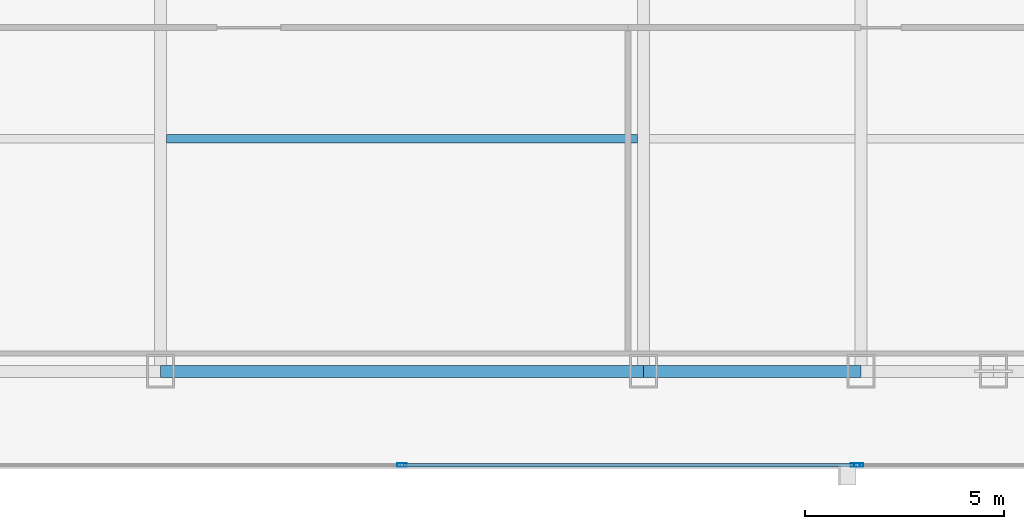
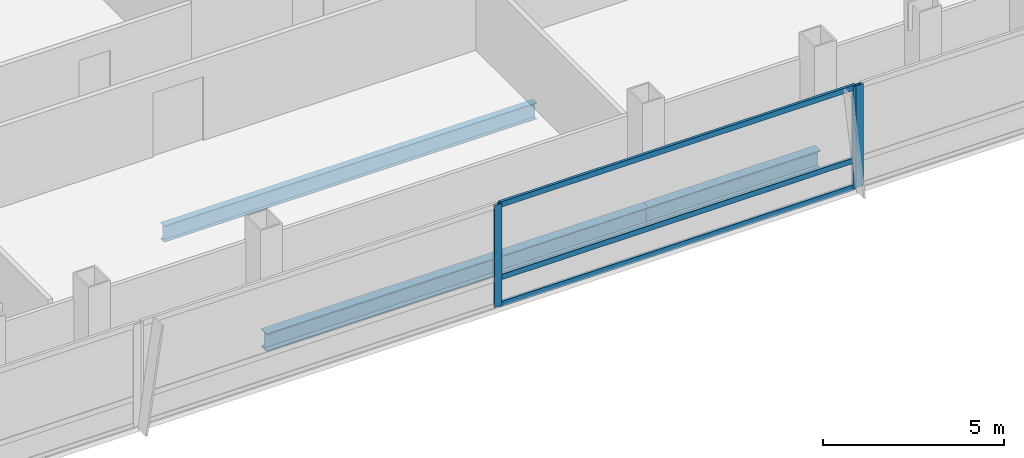
# One storey, part 13 of 33: 6 members, 3 beams, 2 elements without a shape of their own.
"""IFC4 building model written with IfcOpenShell, lengths in metres."""

from ifc_helpers import new_model, si_unit, direction, frame, origin, origin_2d, place, context, subcontext, project, spatial, hollow_rectangle, i_section, extrude, material, material_profile, profile_set, type_object, element, aggregate, save


model = new_model("IFC4")

# Units and contexts
model_context = context("Model", 3, precision=1e-05, world=origin(), true_north=direction((0.0, 1.0)))
body_context = subcontext(model_context, "Body", "Model", "MODEL_VIEW")
ifc_project = project(units=[si_unit("LENGTHUNIT", "METRE"), si_unit("AREAUNIT", "SQUARE_METRE"), si_unit("VOLUMEUNIT", "CUBIC_METRE"), si_unit("PLANEANGLEUNIT", "RADIAN"), si_unit("MASSUNIT", "GRAM", prefix="KILO")], contexts=[model_context])

# Site, building, storey
site_placement = place(None, origin())
site = spatial("IfcSite", under=ifc_project, at=site_placement, CompositionType="ELEMENT")
building_placement = place(site_placement, origin())
building = spatial("IfcBuilding", under=site, at=building_placement, Name="Khoronbel Lancet Exchange", CompositionType="ELEMENT")
storey_placement = place(building_placement, frame((0.0, 0.0, 114.60009765625)))
storey = spatial("IfcBuildingStorey", under=building, at=storey_placement, Name="L27", CompositionType="ELEMENT", Elevation=114.60009765625)

# Beams
ifc_material_1 = material(Name="Steel S355", Category="steel")
ifc_material_profile_1 = material_profile(ifc_material_1, i_section(OverallWidth=0.2099609375, OverallDepth=0.550048828125, WebThickness=0.010986328125, FlangeThickness=0.01708984375, at=origin_2d()), Name="IPE 550")
ifc_profile_set_1 = profile_set([ifc_material_profile_1], Name="Steel S355")
beam_type_1 = type_object("IfcBeamType", Name="BM-BJ2", PredefinedType="JOIST", material=ifc_profile_set_1)
beam_1_placement = place(storey_placement, frame((30.52490234375, 16.0, -0.43505859375), z_axis=(1.0, 0.0, 0.0), x_axis=(0.0, 1.0, 0.0)))
element("IfcBeam", 1, at=beam_1_placement, inside=storey, type_object=beam_type_1, Name="Level L27 secondary composite joist J03", PredefinedType="JOIST", context=body_context, shape_type="SweptSolid", body=[
    extrude(i_section(OverallWidth=0.2099609375, OverallDepth=0.550048828125, WebThickness=0.010986328125, FlangeThickness=0.01708984375, at=origin_2d()), origin(), (0.0, 0.0, 1.0), 11.85009765625),
])
ifc_material_profile_2 = material_profile(ifc_material_1, i_section(OverallWidth=0.300048828125, OverallDepth=0.60009765625, WebThickness=0.015380859375, FlangeThickness=0.030029296875, at=origin_2d()), Name="HEB 600")
ifc_profile_set_2 = profile_set([ifc_material_profile_2], Name="Steel S355")
beam_type_2 = type_object("IfcBeamType", Name="BM-BSP2", PredefinedType="SPANDREL", material=ifc_profile_set_2)
beam_2_placement = place(storey_placement, frame((30.375, 10.14990234375, -0.460205078125), z_axis=(1.0, 0.0, 0.0), x_axis=(0.0, 1.0, 0.0)))
element("IfcBeam", 2, at=beam_2_placement, inside=storey, type_object=beam_type_2, Name="Level L27 perimeter spandrel beam SP05", PredefinedType="SPANDREL", context=body_context, shape_type="SweptSolid", body=[
    extrude(i_section(OverallWidth=0.300048828125, OverallDepth=0.60009765625, WebThickness=0.015380859375, FlangeThickness=0.030029296875, at=origin_2d()), origin(), (0.0, 0.0, 1.0), 12.14990234375),
])
beam_3_placement = place(storey_placement, frame((42.52490234375, 10.14990234375, -0.460205078125), z_axis=(1.0, 0.0, 0.0), x_axis=(0.0, 1.0, 0.0)))
element("IfcBeam", 3, at=beam_3_placement, inside=storey, type_object=beam_type_2, Name="Level L27 perimeter spandrel beam SP06", PredefinedType="SPANDREL", context=body_context, shape_type="SweptSolid", body=[
    extrude(i_section(OverallWidth=0.300048828125, OverallDepth=0.60009765625, WebThickness=0.015380859375, FlangeThickness=0.030029296875, at=origin_2d()), origin(), (0.0, 0.0, 1.0), 5.47509765625),
])

# Curtain wall, members
ifc_material_2 = material(Name="Low-E Solar Control Insulating Glass", Category="glass")
curtain_wall_type = type_object("IfcCurtainWallType", Name="CW-2", PredefinedType="NOTDEFINED", material=ifc_material_2)
curtain_wall_1_placement = place(storey_placement, origin())
curtain_wall_1 = element("IfcCurtainWall", 4, at=curtain_wall_1_placement, inside=storey, type_object=curtain_wall_type, Name="Unitised curtain wall CW-L27-SCV", PredefinedType="NOTDEFINED")
ifc_material_3 = material(Name="Bronze-Anodised Aluminium 6063-T6", Category="aluminium")
ifc_material_profile_3 = material_profile(ifc_material_3, hollow_rectangle(XDim=0.0849609375, YDim=0.239990234375, WallThickness=0.006103515625, at=origin_2d()), Name="ALU MULLION 85x240")
ifc_profile_set_3 = profile_set([ifc_material_profile_3], Name="Bronze-Anodised Aluminium 6063-T6")
member_type_1 = type_object("IfcMemberType", Name="MEM-CWM1", PredefinedType="MULLION", material=ifc_profile_set_3)
member_1_placement = place(storey_placement, frame((36.449951171875, 7.7900390625, 0.0), z_axis=(0.0, 0.0, 1.0), x_axis=(0.0, 1.0, 0.0)))
member_1 = element("IfcMember", 5, at=member_1_placement, type_object=member_type_1, Name="CW2 mullion 2", PredefinedType="MULLION", context=body_context, shape_type="SweptSolid", body=[
    extrude(hollow_rectangle(XDim=0.0849609375, YDim=0.239990234375, WallThickness=0.006103515625, at=origin_2d()), origin(), (0.0, 0.0, 1.0), 3.43994140625),
])
member_2_placement = place(storey_placement, frame((47.857421875, 7.7900390625, 0.0), z_axis=(0.0, 0.0, 1.0), x_axis=(0.0, 1.0, 0.0)))
member_2 = element("IfcMember", 6, at=member_2_placement, type_object=member_type_1, Name="CW2 mullion 3", PredefinedType="MULLION", context=body_context, shape_type="SweptSolid", body=[
    extrude(hollow_rectangle(XDim=0.0849609375, YDim=0.239990234375, WallThickness=0.006103515625, at=origin_2d()), origin(), (0.0, 0.0, 1.0), 3.43994140625),
])

# Curtain wall, member
curtain_wall_2_placement = place(storey_placement, origin())
curtain_wall_2 = element("IfcCurtainWall", 7, at=curtain_wall_2_placement, inside=storey, type_object=curtain_wall_type, Name="Unitised curtain wall CW-L27-SEB", PredefinedType="NOTDEFINED")
member_3_placement = place(storey_placement, frame((47.9423828125, 7.7900390625, 0.0), z_axis=(0.0, 0.0, 1.0), x_axis=(0.0, 1.0, 0.0)))
member_3 = element("IfcMember", 8, at=member_3_placement, type_object=member_type_1, Name="CW2 mullion 1", PredefinedType="MULLION", context=body_context, shape_type="SweptSolid", body=[
    extrude(hollow_rectangle(XDim=0.0849609375, YDim=0.239990234375, WallThickness=0.006103515625, at=origin_2d()), origin(), (0.0, 0.0, 1.0), 3.43994140625),
])
aggregate(curtain_wall_2, [member_3])

# Member
ifc_material_profile_4 = material_profile(ifc_material_3, hollow_rectangle(XDim=0.0849609375, YDim=0.179931640625, WallThickness=0.0048828125, at=origin_2d()), Name="ALU TRANSOM 85x180")
ifc_profile_set_4 = profile_set([ifc_material_profile_4], Name="Bronze-Anodised Aluminium 6063-T6")
member_type_2 = type_object("IfcMemberType", Name="MEM-CWT1", PredefinedType="USERDEFINED", material=ifc_profile_set_4)
member_4_placement = place(storey_placement, frame((36.492431640625, 7.7900390625, 0.04248046875), z_axis=(1.0, 0.0, 0.0), x_axis=(0.0, 1.0, 0.0)))
member_4 = element("IfcMember", 9, at=member_4_placement, type_object=member_type_2, Name="CW2 transom 2.1", ObjectType="TRANSOM", PredefinedType="USERDEFINED", context=body_context, shape_type="SweptSolid", body=[
    extrude(hollow_rectangle(XDim=0.0849609375, YDim=0.179931640625, WallThickness=0.0048828125, at=origin_2d()), origin(), (0.0, 0.0, 1.0), 11.322509765625),
])

member_5_placement = place(storey_placement, frame((36.492431640625, 7.7900390625, 0.949951171875), z_axis=(1.0, 0.0, 0.0), x_axis=(0.0, 1.0, 0.0)))
member_5 = element("IfcMember", 10, at=member_5_placement, type_object=member_type_2, Name="CW2 transom 2.2", ObjectType="TRANSOM", PredefinedType="USERDEFINED", context=body_context, shape_type="SweptSolid", body=[
    extrude(hollow_rectangle(XDim=0.0849609375, YDim=0.179931640625, WallThickness=0.0048828125, at=origin_2d()), origin(), (0.0, 0.0, 1.0), 11.322509765625),
])

member_6_placement = place(storey_placement, frame((36.492431640625, 7.7900390625, 3.3974609375), z_axis=(1.0, 0.0, 0.0), x_axis=(0.0, 1.0, 0.0)))
member_6 = element("IfcMember", 11, at=member_6_placement, type_object=member_type_2, Name="CW2 transom 2.3", ObjectType="TRANSOM", PredefinedType="USERDEFINED", context=body_context, shape_type="SweptSolid", body=[
    extrude(hollow_rectangle(XDim=0.0849609375, YDim=0.179931640625, WallThickness=0.0048828125, at=origin_2d()), origin(), (0.0, 0.0, 1.0), 11.322509765625),
])

aggregate(curtain_wall_1, [member_1, member_2, member_4, member_5, member_6])

save(model, "model.ifc")
